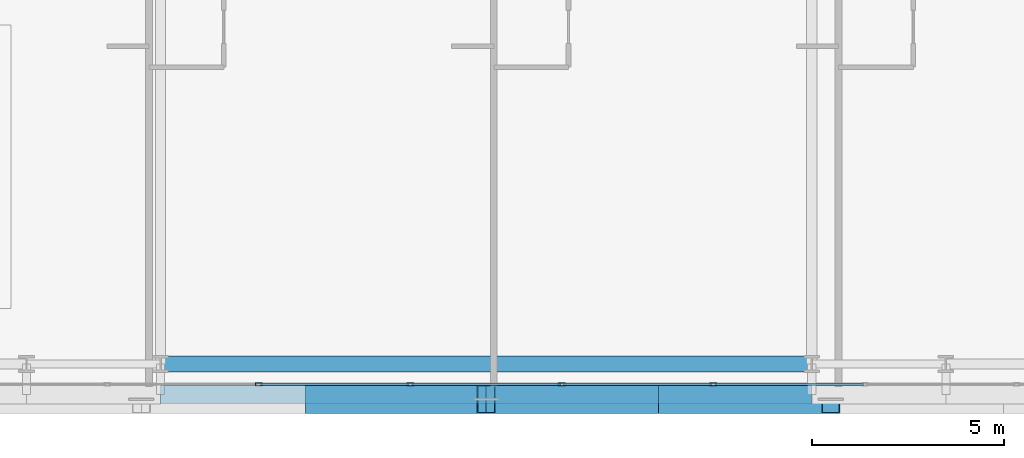
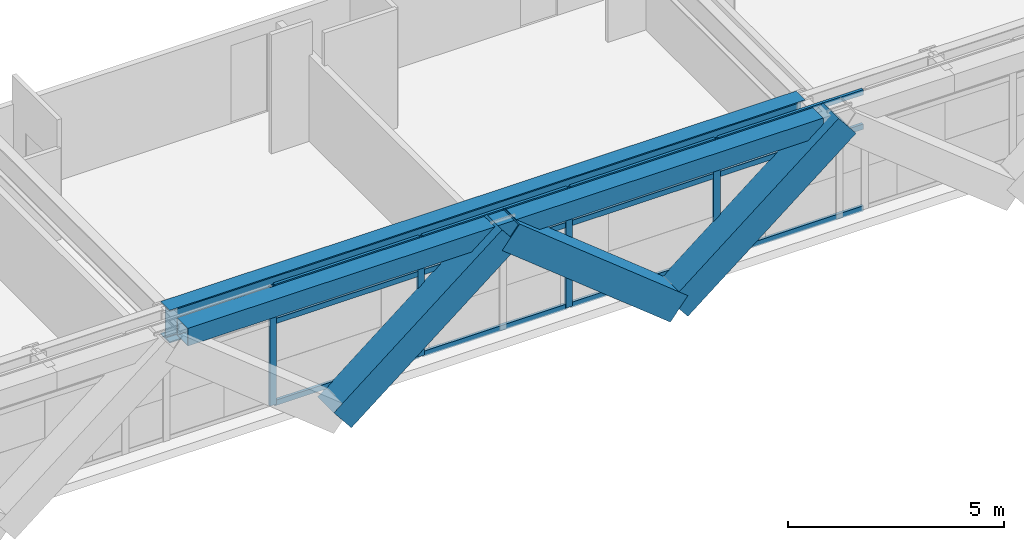
# One storey, part 5 of 35: 19 members, 2 beams, 1 element without a shape of its own.
"""IFC4 building model written with IfcOpenShell, lengths in metres."""

from ifc_helpers import new_model, si_unit, direction, frame, origin, origin_2d, place, context, subcontext, project, spatial, hollow_rectangle, i_section, extrude, source, transform, mapped, material, layer, layer_set, material_profile, profile_set, type_object, element, aggregate, save


model = new_model("IFC4")

# Units and contexts
model_context = context("Model", 3, precision=1e-05, world=origin(), true_north=direction((0.0, 1.0)))
body_context = subcontext(model_context, "Body", "Model", "MODEL_VIEW")
ifc_project = project(units=[si_unit("LENGTHUNIT", "METRE"), si_unit("AREAUNIT", "SQUARE_METRE"), si_unit("VOLUMEUNIT", "CUBIC_METRE"), si_unit("PLANEANGLEUNIT", "RADIAN"), si_unit("MASSUNIT", "GRAM", prefix="KILO")], contexts=[model_context])

# Site, building, storey
site_placement = place(None, origin())
site = spatial("IfcSite", under=ifc_project, at=site_placement, CompositionType="ELEMENT")
building_placement = place(site_placement, origin())
building = spatial("IfcBuilding", under=site, at=building_placement, Name="Ocotamira Hotel", CompositionType="ELEMENT")
storey_placement = place(building_placement, frame((0.0, 0.0, 115.199951171875)))
storey = spatial("IfcBuildingStorey", under=building, at=storey_placement, Name="L28", CompositionType="ELEMENT", Elevation=115.199951171875)

# Beams
ifc_material_1 = material(Name="Steel ASTM A992 Grade 50", Category="steel")
ifc_material_profile_1 = material_profile(ifc_material_1, i_section(OverallWidth=0.41796875, OverallDepth=0.927001953125, WebThickness=0.019287109375, FlangeThickness=0.031982421875, FilletRadius=0.02392578125, at=origin_2d()), Name="W36X231")
ifc_profile_set_1 = profile_set([ifc_material_profile_1], Name="Steel ASTM A992 Grade 50")
beam_type_1 = type_object("IfcBeamType", Name="BM-GIRD-W36X231", PredefinedType="BEAM", material=ifc_profile_set_1)
shared_shape_1 = source(origin(), body_context, "Body", "SweptSolid", [
    extrude(i_section(OverallWidth=0.41796875, OverallDepth=0.927001953125, WebThickness=0.019287109375, FlangeThickness=0.031982421875, FilletRadius=0.02392578125, at=origin_2d()), origin(), (0.0, 0.0, 1.0), 17.0),
])
beam_1_placement = place(storey_placement, frame((23.5, 2.949951171875, 2.896484375), z_axis=(1.0, 0.0, 0.0), x_axis=(0.0, 1.0, 0.0)))
element("IfcBeam", 1, at=beam_1_placement, inside=storey, type_object=beam_type_1, Name="L28 Girder Y2.95 X23.5-40.5", PredefinedType="BEAM", context=body_context, shape_type="MappedRepresentation", body=[
    mapped(shared_shape_1, transform((0.0, 0.0, 0.0), scale=1.0)),
])
ifc_material_2 = material(Name="Steel ASTM A500 Grade C", Category="steel")
ifc_material_profile_2 = material_profile(ifc_material_2, hollow_rectangle(XDim=0.5, YDim=0.5, WallThickness=0.02001953125, at=origin_2d()), Name="HSS500X500X20")
ifc_profile_set_2 = profile_set([ifc_material_profile_2], Name="Steel ASTM A500 Grade C")
beam_type_2 = type_object("IfcBeamType", Name="BM-SPAN-HSS500", PredefinedType="USERDEFINED", material=ifc_profile_set_2)
shared_shape_2 = source(origin(), body_context, "Body", "SweptSolid", [
    extrude(hollow_rectangle(XDim=0.5, YDim=0.5, WallThickness=0.02001953125, at=origin_2d()), origin(), (0.0, 0.0, 1.0), 17.0),
])
beam_2_placement = place(storey_placement, frame((23.5, 2.14990234375, 3.110107421875), z_axis=(1.0, 0.0, 0.0), x_axis=(0.0, 1.0, 0.0)))
element("IfcBeam", 2, at=beam_2_placement, inside=storey, type_object=beam_type_2, Name="L28 Edge Spandrel S X23.5-40.5", ObjectType="SPANDREL", PredefinedType="USERDEFINED", context=body_context, shape_type="MappedRepresentation", body=[
    mapped(shared_shape_2, transform((0.0, 0.0, 0.0), scale=1.0)),
])

# Members
ifc_material_3 = material(Name="Pale-metal coated steel ASTM A913 Grade 65", Category="steel")
ifc_material_profile_3 = material_profile(ifc_material_3, hollow_rectangle(XDim=0.75, YDim=0.75, WallThickness=0.028076171875, at=origin_2d()), Name="BOX750X750X28")
ifc_profile_set_3 = profile_set([ifc_material_profile_3], Name="Pale-metal coated steel ASTM A913 Grade 65")
member_type_1 = type_object("IfcMemberType", Name="MEM-EXO-BOX750", PredefinedType="BRACE", material=ifc_profile_set_3)
shared_shape_3 = source(origin(), body_context, "Body", "SweptSolid", [
    extrude(hollow_rectangle(XDim=0.75, YDim=0.75, WallThickness=0.028076171875, at=origin_2d()), origin(), (0.0, 0.0, 1.0), 5.762939453125),
])
for number, where, z_axis, x_axis, name in (
    (3, (27.5, 2.030029296875, -0.489990234375), (0.780860543151, 0.0, 0.624705380279), (0.0, 1.0, 0.0), "L28 Exoskeleton Diagrid S1.2"),
    (4, (36.5, 2.030029296875, -0.489990234375), (-0.780860543151, 0.0, 0.624705380279), (0.0, -1.0, 0.0), "L28 Exoskeleton Diagrid S2.1"),
    (5, (36.5, 2.030029296875, -0.489990234375), (0.780860543151, 0.0, 0.624705380279), (0.0, 1.0, 0.0), "L28 Exoskeleton Diagrid S2.2"),
):
    element("IfcMember", number, at=place(storey_placement, frame(where, z_axis=z_axis, x_axis=x_axis)), inside=storey, type_object=member_type_1, Name=name, PredefinedType="BRACE", context=body_context, shape_type="MappedRepresentation", body=[
        mapped(shared_shape_3, transform((0.0, 0.0, 0.0), scale=1.0)),
    ])

# Curtain wall, members
ifc_material_4 = material(Name="Anodised pale-metal aluminium and solar glass", Category="aluminium")
ifc_layer = layer(ifc_material_4, 0.179931640625)
ifc_layer_set = layer_set([ifc_layer], Name="Anodised pale-metal aluminium and solar glass")
curtain_wall_type = type_object("IfcCurtainWallType", Name="CW-SYS3-Z2", PredefinedType="NOTDEFINED", material=ifc_layer_set)
curtain_wall_placement = place(storey_placement, origin())
curtain_wall = element("IfcCurtainWall", 6, at=curtain_wall_placement, inside=storey, type_object=curtain_wall_type, Name="L28 Curtain Wall CW-3 CW-L28-S1", PredefinedType="NOTDEFINED")
ifc_material_5 = material(Name="Anodised pale-metal aluminium 6063-T6", Category="aluminium")
ifc_material_profile_4 = material_profile(ifc_material_5, hollow_rectangle(XDim=0.074951171875, YDim=0.14990234375, WallThickness=0.006103515625, at=origin_2d()), Name="HSS150X75X6")
ifc_profile_set_4 = profile_set([ifc_material_profile_4], Name="Anodised pale-metal aluminium 6063-T6")
member_type_2 = type_object("IfcMemberType", Name="CWT-150X75", PredefinedType="USERDEFINED", material=ifc_profile_set_4)
shared_shape_4 = source(origin(), body_context, "Body", "SweptSolid", [
    extrude(hollow_rectangle(XDim=0.074951171875, YDim=0.14990234375, WallThickness=0.006103515625, at=origin_2d()), origin(), (0.0, 0.0, 1.0), 3.87548828125),
])
member_1_placement = place(storey_placement, frame((26.106689453125, 2.419921875, 0.03759765625), z_axis=(1.0, 0.0, 0.0), x_axis=(0.0, 1.0, 0.0)))
member_1 = element("IfcMember", 7, at=member_1_placement, type_object=member_type_2, Name="CW-3 transom 4.1", ObjectType="TRANSOM", PredefinedType="USERDEFINED", context=body_context, shape_type="MappedRepresentation", body=[
    mapped(shared_shape_4, transform((0.0, 0.0, 0.0), scale=1.0)),
])
member_2_placement = place(storey_placement, frame((26.106689453125, 2.419921875, 2.35009765625), z_axis=(1.0, 0.0, 0.0), x_axis=(0.0, 1.0, 0.0)))
member_2 = element("IfcMember", 8, at=member_2_placement, type_object=member_type_2, Name="CW-3 transom 4.2", ObjectType="TRANSOM", PredefinedType="USERDEFINED", context=body_context, shape_type="MappedRepresentation", body=[
    mapped(shared_shape_4, transform((0.0, 0.0, 0.0), scale=1.0)),
])
member_3_placement = place(storey_placement, frame((26.106689453125, 2.419921875, 3.322509765625), z_axis=(1.0, 0.0, 0.0), x_axis=(0.0, 1.0, 0.0)))
member_3 = element("IfcMember", 9, at=member_3_placement, type_object=member_type_2, Name="CW-3 transom 4.3", ObjectType="TRANSOM", PredefinedType="USERDEFINED", context=body_context, shape_type="MappedRepresentation", body=[
    mapped(shared_shape_4, transform((0.0, 0.0, 0.0), scale=1.0)),
])
member_4_placement = place(storey_placement, frame((30.062255859375, 2.419921875, 0.03759765625), z_axis=(1.0, 0.0, 0.0), x_axis=(0.0, 1.0, 0.0)))
member_4 = element("IfcMember", 10, at=member_4_placement, type_object=member_type_2, Name="CW-3 transom 5.1", ObjectType="TRANSOM", PredefinedType="USERDEFINED", context=body_context, shape_type="MappedRepresentation", body=[
    mapped(shared_shape_4, transform((0.0, 0.0, 0.0), scale=1.0)),
])
member_5_placement = place(storey_placement, frame((30.062255859375, 2.419921875, 2.35009765625), z_axis=(1.0, 0.0, 0.0), x_axis=(0.0, 1.0, 0.0)))
member_5 = element("IfcMember", 11, at=member_5_placement, type_object=member_type_2, Name="CW-3 transom 5.2", ObjectType="TRANSOM", PredefinedType="USERDEFINED", context=body_context, shape_type="MappedRepresentation", body=[
    mapped(shared_shape_4, transform((0.0, 0.0, 0.0), scale=1.0)),
])
member_6_placement = place(storey_placement, frame((30.062255859375, 2.419921875, 3.322509765625), z_axis=(1.0, 0.0, 0.0), x_axis=(0.0, 1.0, 0.0)))
member_6 = element("IfcMember", 12, at=member_6_placement, type_object=member_type_2, Name="CW-3 transom 5.3", ObjectType="TRANSOM", PredefinedType="USERDEFINED", context=body_context, shape_type="MappedRepresentation", body=[
    mapped(shared_shape_4, transform((0.0, 0.0, 0.0), scale=1.0)),
])
member_7_placement = place(storey_placement, frame((34.017822265625, 2.419921875, 0.03759765625), z_axis=(1.0, 0.0, 0.0), x_axis=(0.0, 1.0, 0.0)))
member_7 = element("IfcMember", 13, at=member_7_placement, type_object=member_type_2, Name="CW-3 transom 6.1", ObjectType="TRANSOM", PredefinedType="USERDEFINED", context=body_context, shape_type="MappedRepresentation", body=[
    mapped(shared_shape_4, transform((0.0, 0.0, 0.0), scale=1.0)),
])
member_8_placement = place(storey_placement, frame((34.017822265625, 2.419921875, 2.35009765625), z_axis=(1.0, 0.0, 0.0), x_axis=(0.0, 1.0, 0.0)))
member_8 = element("IfcMember", 14, at=member_8_placement, type_object=member_type_2, Name="CW-3 transom 6.2", ObjectType="TRANSOM", PredefinedType="USERDEFINED", context=body_context, shape_type="MappedRepresentation", body=[
    mapped(shared_shape_4, transform((0.0, 0.0, 0.0), scale=1.0)),
])
member_9_placement = place(storey_placement, frame((34.017822265625, 2.419921875, 3.322509765625), z_axis=(1.0, 0.0, 0.0), x_axis=(0.0, 1.0, 0.0)))
member_9 = element("IfcMember", 15, at=member_9_placement, type_object=member_type_2, Name="CW-3 transom 6.3", ObjectType="TRANSOM", PredefinedType="USERDEFINED", context=body_context, shape_type="MappedRepresentation", body=[
    mapped(shared_shape_4, transform((0.0, 0.0, 0.0), scale=1.0)),
])
member_10_placement = place(storey_placement, frame((37.973388671875, 2.419921875, 0.03759765625), z_axis=(1.0, 0.0, 0.0), x_axis=(0.0, 1.0, 0.0)))
member_10 = element("IfcMember", 16, at=member_10_placement, type_object=member_type_2, Name="CW-3 transom 7.1", ObjectType="TRANSOM", PredefinedType="USERDEFINED", context=body_context, shape_type="MappedRepresentation", body=[
    mapped(shared_shape_4, transform((0.0, 0.0, 0.0), scale=1.0)),
])
member_11_placement = place(storey_placement, frame((37.973388671875, 2.419921875, 2.35009765625), z_axis=(1.0, 0.0, 0.0), x_axis=(0.0, 1.0, 0.0)))
member_11 = element("IfcMember", 17, at=member_11_placement, type_object=member_type_2, Name="CW-3 transom 7.2", ObjectType="TRANSOM", PredefinedType="USERDEFINED", context=body_context, shape_type="MappedRepresentation", body=[
    mapped(shared_shape_4, transform((0.0, 0.0, 0.0), scale=1.0)),
])
member_12_placement = place(storey_placement, frame((37.973388671875, 2.419921875, 3.322509765625), z_axis=(1.0, 0.0, 0.0), x_axis=(0.0, 1.0, 0.0)))
member_12 = element("IfcMember", 18, at=member_12_placement, type_object=member_type_2, Name="CW-3 transom 7.3", ObjectType="TRANSOM", PredefinedType="USERDEFINED", context=body_context, shape_type="MappedRepresentation", body=[
    mapped(shared_shape_4, transform((0.0, 0.0, 0.0), scale=1.0)),
])
ifc_material_profile_5 = material_profile(ifc_material_5, hollow_rectangle(XDim=0.080078125, YDim=0.179931640625, WallThickness=0.006103515625, at=origin_2d()), Name="HSS180X80X6")
ifc_profile_set_5 = profile_set([ifc_material_profile_5], Name="Anodised pale-metal aluminium 6063-T6")
member_type_3 = type_object("IfcMemberType", Name="CWM-180X75", PredefinedType="MULLION", material=ifc_profile_set_5)
shared_shape_5 = source(origin(), body_context, "Body", "SweptSolid", [
    extrude(hollow_rectangle(XDim=0.080078125, YDim=0.179931640625, WallThickness=0.006103515625, at=origin_2d()), origin(), (0.0, 0.0, 1.0), 3.360107421875),
])
member_13_placement = place(storey_placement, frame((26.066650390625, 2.419921875, 0.0), z_axis=(0.0, 0.0, 1.0), x_axis=(0.0, 1.0, 0.0)))
member_13 = element("IfcMember", 19, at=member_13_placement, type_object=member_type_3, Name="CW-3 mullion 4", PredefinedType="MULLION", context=body_context, shape_type="MappedRepresentation", body=[
    mapped(shared_shape_5, transform((0.0, 0.0, 0.0), scale=1.0)),
])
member_14_placement = place(storey_placement, frame((30.022216796875, 2.419921875, 0.0), z_axis=(0.0, 0.0, 1.0), x_axis=(0.0, 1.0, 0.0)))
member_14 = element("IfcMember", 20, at=member_14_placement, type_object=member_type_3, Name="CW-3 mullion 5", PredefinedType="MULLION", context=body_context, shape_type="MappedRepresentation", body=[
    mapped(shared_shape_5, transform((0.0, 0.0, 0.0), scale=1.0)),
])
member_15_placement = place(storey_placement, frame((33.977783203125, 2.419921875, 0.0), z_axis=(0.0, 0.0, 1.0), x_axis=(0.0, 1.0, 0.0)))
member_15 = element("IfcMember", 21, at=member_15_placement, type_object=member_type_3, Name="CW-3 mullion 6", PredefinedType="MULLION", context=body_context, shape_type="MappedRepresentation", body=[
    mapped(shared_shape_5, transform((0.0, 0.0, 0.0), scale=1.0)),
])
member_16_placement = place(storey_placement, frame((37.933349609375, 2.419921875, 0.0), z_axis=(0.0, 0.0, 1.0), x_axis=(0.0, 1.0, 0.0)))
member_16 = element("IfcMember", 22, at=member_16_placement, type_object=member_type_3, Name="CW-3 mullion 7", PredefinedType="MULLION", context=body_context, shape_type="MappedRepresentation", body=[
    mapped(shared_shape_5, transform((0.0, 0.0, 0.0), scale=1.0)),
])
aggregate(curtain_wall, [member_13, member_14, member_15, member_16, member_1, member_2, member_3, member_4, member_5, member_6, member_7, member_8, member_9, member_10, member_11, member_12])

save(model, "model.ifc")
